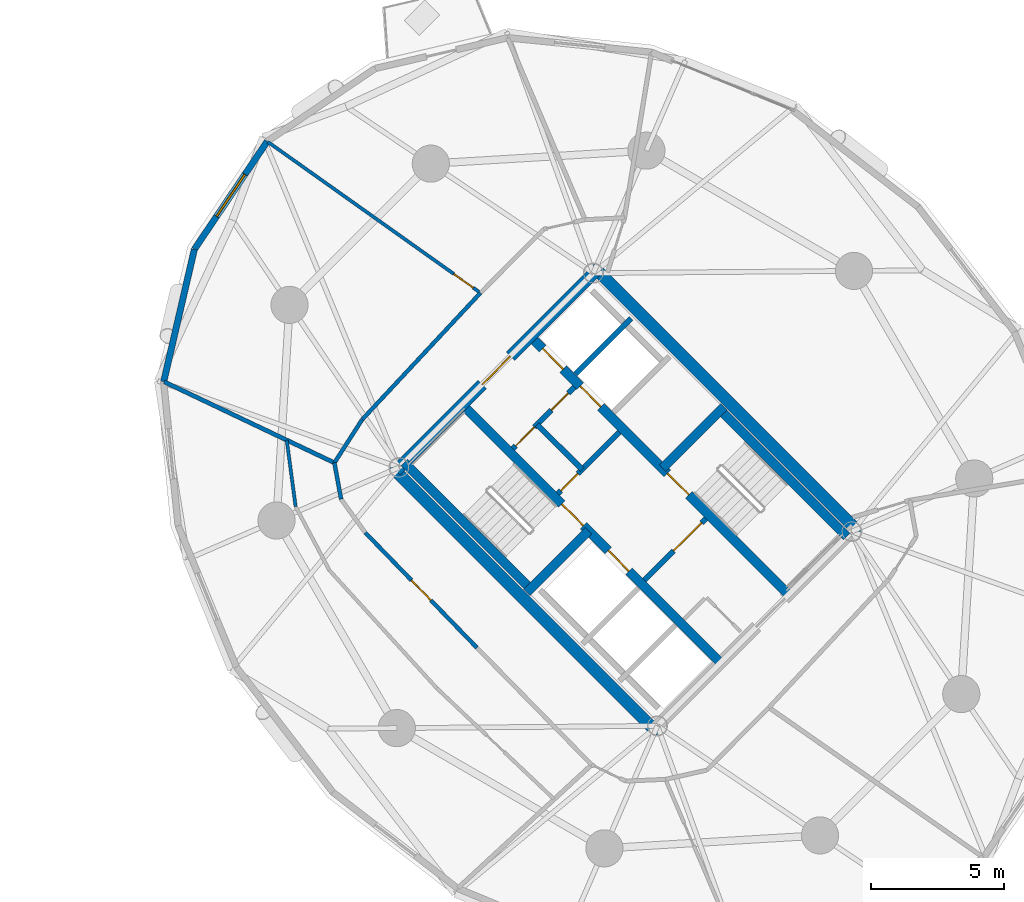
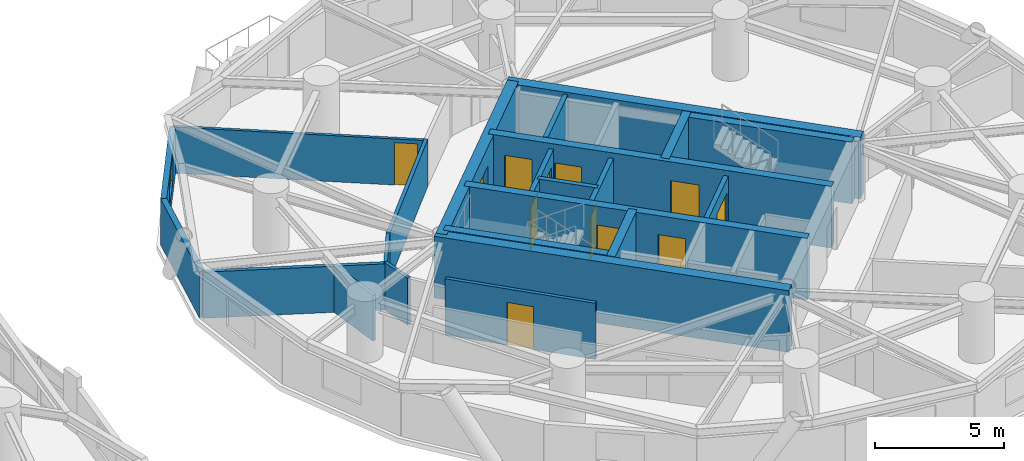
# One storey, part 12 of 17: 23 walls, 12 doors, 1 window, 13 openings.
"""IFC4 building model written with IfcOpenShell, lengths in metres."""

from ifc_helpers import new_model, si_unit, direction, frame, frame_2d, origin, place, context, subcontext, project, spatial, rectangle, extrude, source, transform, mapped, material, layer, layer_set, type_object, element, fill, save


model = new_model("IFC4")

# Units and contexts
model_context = context("Model", 3, precision=1e-05, world=origin(), true_north=direction((0.0, 1.0)))
body_context = subcontext(model_context, "Body", "Model", "MODEL_VIEW")
ifc_project = project(units=[si_unit("LENGTHUNIT", "METRE"), si_unit("AREAUNIT", "SQUARE_METRE"), si_unit("VOLUMEUNIT", "CUBIC_METRE"), si_unit("PLANEANGLEUNIT", "RADIAN"), si_unit("MASSUNIT", "GRAM", prefix="KILO")], contexts=[model_context])

# Site, building, storey
site_placement = place(None, origin())
site = spatial("IfcSite", under=ifc_project, at=site_placement, CompositionType="ELEMENT")
building_placement = place(site_placement, origin())
building = spatial("IfcBuilding", under=site, at=building_placement, Name="Cununo Teusaquillo Station Towers", CompositionType="ELEMENT")
storey_placement = place(building_placement, frame((0.0, 0.0, 113.800048828125)))
storey = spatial("IfcBuildingStorey", under=building, at=storey_placement, Name="L36", CompositionType="ELEMENT", Elevation=113.800048828125)

# Wall
ifc_material_1 = material(Name="Concrete C50/60", Category="concrete")
ifc_layer_1 = layer(ifc_material_1, 0.199951171875)
ifc_layer_set_1 = layer_set([ifc_layer_1], Name="Concrete C50/60")
wall_type_1 = type_object("IfcWallType", Name="WL-CORE-200", PredefinedType="SHEAR", material=ifc_layer_set_1)
wall_1_placement = place(storey_placement, frame((55.615478515625, 29.22705078125, 0.0), z_axis=(0.0, 0.0, 1.0), x_axis=(0.707147878904, 0.70706568108, 0.0)))
element("IfcWall", 1, at=wall_1_placement, inside=storey, type_object=wall_type_1, Name="L36 Tower B Low-Rise Lift Hoistway Divider Shear Wall", PredefinedType="SHEAR", context=body_context, shape_type="SweptSolid", body=[
    extrude(rectangle(XDim=2.97021484375, YDim=0.199951171875, at=frame_2d((1.485107421875, 0.0))), origin(), (0.0, 0.0, 1.0), 2.909912109375),
])

# Wall, openings, doors
ifc_material_2 = material(Name="Concrete C50/60", Category="concrete")
ifc_layer_2 = layer(ifc_material_2, 0.35009765625)
ifc_layer_set_2 = layer_set([ifc_layer_2], Name="Concrete C50/60")
wall_type_2 = type_object("IfcWallType", Name="WL-CORE-350", PredefinedType="SHEAR", material=ifc_layer_set_2)
wall_2_placement = place(storey_placement, frame((61.077880859375, 18.355224609375, 0.0), z_axis=(0.0, 0.0, 1.0), x_axis=(-0.707106781187, 0.707106781187, 0.0)))
wall_2 = element("IfcWall", 2, at=wall_2_placement, inside=storey, type_object=wall_type_2, Name="L36 Tower B Core Shear Wall IW", PredefinedType="SHEAR", context=body_context, shape_type="SweptSolid", body=[
    extrude(rectangle(XDim=13.75, YDim=0.35009765625, at=frame_2d((6.875, 0.0))), origin(), (0.0, 0.0, 1.0), 2.909912109375),
])
shared_shape_1 = source(origin(), body_context, "Body", "SweptSolid", [
    extrude(rectangle(XDim=1.10009765625, YDim=2.014892578125, at=frame_2d((0.550048828125, 1.00732421875))), frame((0.0, 0.18505859375, 0.0), z_axis=(0.0, -1.0, 0.0), x_axis=(1.0, 0.0, 0.0)), (0.0, 0.0, 1.0), 0.3701171875),
])
opening_1_placement = place(wall_2_placement, frame((4.875, 0.0, 0.0)))
opening_1 = element("IfcOpeningElement", 3, at=opening_1_placement, cuts=wall_2, Name="Opening LD-01", PredefinedType="OPENING", context=body_context, shape_type="MappedRepresentation", body=[
    mapped(shared_shape_1, transform((0.0, 0.0, 0.0), x_axis=(1.0, 0.0, 0.0), y_axis=(0.0, 1.0, 0.0), z_axis=(0.0, 0.0, 1.0), scale=1.0)),
])
shared_shape_2 = source(origin(), body_context, "Body", "SweptSolid", [
    extrude(rectangle(XDim=1.14990234375, YDim=2.02001953125, at=frame_2d((0.574951171875, 1.010009765625))), frame((0.0, 0.18505859375, 0.0), z_axis=(0.0, -1.0, 0.0), x_axis=(1.0, 0.0, 0.0)), (0.0, 0.0, 1.0), 0.3701171875),
])
opening_2_placement = place(wall_2_placement, frame((7.294921875, 0.0, 0.0)))
opening_2 = element("IfcOpeningElement", 4, at=opening_2_placement, cuts=wall_2, Name="Opening D-ST1", PredefinedType="OPENING", context=body_context, shape_type="MappedRepresentation", body=[
    mapped(shared_shape_2, transform((0.0, 0.0, 0.0), x_axis=(1.0, 0.0, 0.0), y_axis=(0.0, 1.0, 0.0), z_axis=(0.0, 0.0, 1.0), scale=1.0)),
])
ifc_material_3 = material(Name="Galvanised fire-rated hollow steel door assembly", Category="steel")
door_type_1 = type_object("IfcDoorType", Name="DR-LIFT-1100", OperationType="SLIDING_TO_LEFT", PredefinedType="DOOR", material=ifc_material_3)
shared_shape_3 = source(origin(), body_context, "Body", "SweptSolid", [
    extrude(rectangle(XDim=1.10009765625, YDim=2.014892578125, at=frame_2d((0.550048828125, 1.00732421875))), frame((0.0, 0.02490234375, 0.0), z_axis=(0.0, -1.0, 0.0), x_axis=(1.0, 0.0, 0.0)), (0.0, 0.0, 1.0), 0.050048828125),
])
door_1_placement = place(opening_1_placement, origin())
door_1 = element("IfcDoor", 5, at=door_1_placement, inside=storey, type_object=door_type_1, Name="L36 Lift FL-T2 Sliding Landing Door", OperationType="SLIDING_TO_RIGHT", OverallHeight=2.014892578125, OverallWidth=1.10009765625, PredefinedType="DOOR", context=body_context, shape_type="MappedRepresentation", body=[
    mapped(shared_shape_3, transform((0.0, 0.0, 0.0), x_axis=(1.0, 0.0, 0.0), y_axis=(0.0, 1.0, 0.0), z_axis=(0.0, 0.0, 1.0), scale=1.0)),
])
fill(opening_1, door_1)
ifc_material_4 = material(Name="Galvanised fire-rated hollow steel door assembly", Category="steel")
door_type_2 = type_object("IfcDoorType", Name="DR-STAIR-1150", OperationType="NOTDEFINED", PredefinedType="DOOR", material=ifc_material_4)
shared_shape_4 = source(origin(), body_context, "Body", "SweptSolid", [
    extrude(rectangle(XDim=1.14990234375, YDim=2.02001953125, at=frame_2d((0.574951171875, 1.010009765625))), frame((0.0, 0.02490234375, 0.0), z_axis=(0.0, -1.0, 0.0), x_axis=(1.0, 0.0, 0.0)), (0.0, 0.0, 1.0), 0.050048828125),
])
door_2_placement = place(opening_2_placement, origin())
door_2 = element("IfcDoor", 6, at=door_2_placement, inside=storey, type_object=door_type_2, Name="L36 Tower B Exit Stair 1 Fire Door", OperationType="SINGLE_SWING_LEFT", OverallHeight=2.02001953125, OverallWidth=1.14990234375, PredefinedType="DOOR", context=body_context, shape_type="MappedRepresentation", body=[
    mapped(shared_shape_4, transform((0.0, 0.0, 0.0), x_axis=(1.0, 0.0, 0.0), y_axis=(0.0, 1.0, 0.0), z_axis=(0.0, 0.0, 1.0), scale=1.0)),
])
fill(opening_2, door_2)

wall_3_placement = place(storey_placement, frame((63.644775390625, 20.922119140625, 0.0), z_axis=(0.0, 0.0, 1.0), x_axis=(-0.707106781187, 0.707106781187, 0.0)))
wall_3 = element("IfcWall", 7, at=wall_3_placement, inside=storey, type_object=wall_type_2, Name="L36 Tower B Core Shear Wall IE", PredefinedType="SHEAR", context=body_context, shape_type="SweptSolid", body=[
    extrude(rectangle(XDim=13.75, YDim=0.35009765625, at=frame_2d((6.875, 0.0))), origin(), (0.0, 0.0, 1.0), 2.909912109375),
])
opening_3_placement = place(wall_3_placement, frame((10.0, 0.0, 0.0)))
opening_3 = element("IfcOpeningElement", 8, at=opening_3_placement, cuts=wall_3, Name="Opening LD-01", PredefinedType="OPENING", context=body_context, shape_type="MappedRepresentation", body=[
    mapped(shared_shape_1, transform((0.0, 0.0, 0.0), x_axis=(1.0, 0.0, 0.0), y_axis=(0.0, 1.0, 0.0), z_axis=(0.0, 0.0, 1.0), scale=1.0)),
])
opening_4_placement = place(wall_3_placement, frame((12.0, 0.0, 0.0)))
opening_4 = element("IfcOpeningElement", 9, at=opening_4_placement, cuts=wall_3, Name="Opening LD-01", PredefinedType="OPENING", context=body_context, shape_type="MappedRepresentation", body=[
    mapped(shared_shape_1, transform((0.0, 0.0, 0.0), x_axis=(1.0, 0.0, 0.0), y_axis=(0.0, 1.0, 0.0), z_axis=(0.0, 0.0, 1.0), scale=1.0)),
])
opening_5_placement = place(wall_3_placement, frame((5.304931640625, 0.0, 0.0)))
opening_5 = element("IfcOpeningElement", 10, at=opening_5_placement, cuts=wall_3, Name="Opening D-ST1", PredefinedType="OPENING", context=body_context, shape_type="MappedRepresentation", body=[
    mapped(shared_shape_2, transform((0.0, 0.0, 0.0), x_axis=(1.0, 0.0, 0.0), y_axis=(0.0, 1.0, 0.0), z_axis=(0.0, 0.0, 1.0), scale=1.0)),
])
door_3_placement = place(opening_3_placement, origin())
door_3 = element("IfcDoor", 11, at=door_3_placement, inside=storey, type_object=door_type_1, Name="L36 Lift PL-T2-L1 Sliding Landing Door", OperationType="SLIDING_TO_RIGHT", OverallHeight=2.014892578125, OverallWidth=1.10009765625, PredefinedType="DOOR", context=body_context, shape_type="MappedRepresentation", body=[
    mapped(shared_shape_3, transform((0.0, 0.0, 0.0), x_axis=(1.0, 0.0, 0.0), y_axis=(0.0, 1.0, 0.0), z_axis=(0.0, 0.0, 1.0), scale=1.0)),
])
fill(opening_3, door_3)
door_4_placement = place(opening_4_placement, origin())
door_4 = element("IfcDoor", 12, at=door_4_placement, inside=storey, type_object=door_type_1, Name="L36 Lift PL-T2-L2 Sliding Landing Door", OperationType="SLIDING_TO_LEFT", OverallHeight=2.014892578125, OverallWidth=1.10009765625, PredefinedType="DOOR", context=body_context, shape_type="MappedRepresentation", body=[
    mapped(shared_shape_3, transform((0.0, 0.0, 0.0), x_axis=(1.0, 0.0, 0.0), y_axis=(0.0, 1.0, 0.0), z_axis=(0.0, 0.0, 1.0), scale=1.0)),
])
fill(opening_4, door_4)
door_5_placement = place(opening_5_placement, origin())
door_5 = element("IfcDoor", 13, at=door_5_placement, inside=storey, type_object=door_type_2, Name="L36 Tower B Exit Stair 2 Fire Door", OperationType="SINGLE_SWING_RIGHT", OverallHeight=2.02001953125, OverallWidth=1.14990234375, PredefinedType="DOOR", context=body_context, shape_type="MappedRepresentation", body=[
    mapped(shared_shape_4, transform((0.0, 0.0, 0.0), x_axis=(1.0, 0.0, 0.0), y_axis=(0.0, 1.0, 0.0), z_axis=(0.0, 0.0, 1.0), scale=1.0)),
])
fill(opening_5, door_5)

# Walls
wall_4_placement = place(storey_placement, frame((53.922119140625, 21.14111328125, 0.0), z_axis=(0.0, 0.0, 1.0), x_axis=(-0.707088616009, 0.707124945897, 0.0)))
element("IfcWall", 14, at=wall_4_placement, inside=storey, type_object=wall_type_2, Name="L36 Tower B Core Shear Wall ST1W", PredefinedType="SHEAR", context=body_context, shape_type="SweptSolid", body=[
    extrude(rectangle(XDim=6.72021484375, YDim=0.35009765625, at=frame_2d((3.360107421875, 0.0))), origin(), (0.0, 0.0, 1.0), 2.909912109375),
])
wall_5_placement = place(storey_placement, frame((53.7841796875, 21.00341796875, 0.0), z_axis=(0.0, 0.0, 1.0), x_axis=(0.707106781187, 0.707106781187, 0.0)))
element("IfcWall", 15, at=wall_5_placement, inside=storey, type_object=wall_type_2, Name="L36 Tower B Core Shear Wall ST1S", PredefinedType="SHEAR", context=body_context, shape_type="SweptSolid", body=[
    extrude(rectangle(XDim=3.284912109375, YDim=0.35009765625, at=frame_2d((1.642578125, 0.0))), origin(), (0.0, 0.0, 1.0), 2.909912109375),
])
wall_6_placement = place(storey_placement, frame((65.82958984375, 23.10693359375, 0.0), z_axis=(0.0, 0.0, 1.0), x_axis=(-0.707088616009, 0.707124945897, 0.0)))
element("IfcWall", 16, at=wall_6_placement, inside=storey, type_object=wall_type_2, Name="L36 Tower B Core Shear Wall ST2E", PredefinedType="SHEAR", context=body_context, shape_type="SweptSolid", body=[
    extrude(rectangle(XDim=6.72021484375, YDim=0.35009765625, at=frame_2d((3.360107421875, 0.0))), origin(), (0.0, 0.0, 1.0), 2.909912109375),
])
wall_7_placement = place(storey_placement, frame((58.89306640625, 25.673828125, 0.0), z_axis=(0.0, 0.0, 1.0), x_axis=(0.707106781187, 0.707106781187, 0.0)))
element("IfcWall", 17, at=wall_7_placement, inside=storey, type_object=wall_type_2, Name="L36 Tower B Core Shear Wall ST2N", PredefinedType="SHEAR", context=body_context, shape_type="SweptSolid", body=[
    extrude(rectangle(XDim=3.284912109375, YDim=0.35009765625, at=frame_2d((1.642578125, 0.0))), origin(), (0.0, 0.0, 1.0), 2.909912109375),
])
ifc_material_5 = material(Name="Concrete C60/75", Category="concrete")
ifc_layer_3 = layer(ifc_material_5, 0.449951171875)
ifc_layer_set_3 = layer_set([ifc_layer_3], Name="Concrete C60/75")
wall_type_3 = type_object("IfcWallType", Name="WL-CORE-450", PredefinedType="SHEAR", material=ifc_layer_set_3)
for number, where, z_axis, x_axis, name in (
    (18, (58.7373046875, 15.696533203125, 0.0), (0.0, 0.0, 1.0), (-0.707106781187, 0.707106781187, 0.0), "L36 Tower B Core Shear Wall W"),
    (19, (66.303466796875, 23.2626953125, 0.0), (0.0, 0.0, 1.0), (-0.707106781187, 0.707106781187, 0.0), "L36 Tower B Core Shear Wall E"),
):
    element("IfcWall", number, at=place(storey_placement, frame(where, z_axis=z_axis, x_axis=x_axis)), inside=storey, type_object=wall_type_3, Name=name, PredefinedType="SHEAR", context=body_context, shape_type="SweptSolid", body=[
        extrude(rectangle(XDim=14.19970703125, YDim=0.449951171875, at=frame_2d((7.099853515625, 0.0))), origin(), (0.0, 0.0, 1.0), 2.909912109375),
    ])

# Wall, opening, door
wall_8_placement = place(storey_placement, frame((48.855712890625, 25.578369140625, 0.0), z_axis=(0.0, 0.0, 1.0), x_axis=(0.707106781187, 0.707106781187, 0.0)))
wall_8 = element("IfcWall", 20, at=wall_8_placement, inside=storey, type_object=wall_type_3, Name="L36 Tower B Core Shear Wall N", PredefinedType="SHEAR", context=body_context, shape_type="SweptSolid", body=[
    extrude(rectangle(XDim=10.69970703125, YDim=0.449951171875, at=frame_2d((5.349853515625, 0.0))), origin(), (0.0, 0.0, 1.0), 2.909912109375),
])
shared_shape_5 = source(origin(), body_context, "Body", "SweptSolid", [
    extrude(rectangle(XDim=1.5, YDim=2.02001953125, at=frame_2d((0.75, 1.010009765625))), frame((0.0, 0.23486328125, 0.0), z_axis=(0.0, -1.0, 0.0), x_axis=(1.0, 0.0, 0.0)), (0.0, 0.0, 1.0), 0.469970703125),
])
opening_6_placement = place(wall_8_placement, frame((4.60009765625, 0.0, 0.0)))
opening_6 = element("IfcOpeningElement", 21, at=opening_6_placement, cuts=wall_8, Name="Opening D-LB1", PredefinedType="OPENING", context=body_context, shape_type="MappedRepresentation", body=[
    mapped(shared_shape_5, transform((0.0, 0.0, 0.0), x_axis=(1.0, 0.0, 0.0), y_axis=(0.0, 1.0, 0.0), z_axis=(0.0, 0.0, 1.0), scale=1.0)),
])
ifc_material_6 = material(Name="Galvanised fire-rated hollow steel door assembly", Category="steel")
door_type_3 = type_object("IfcDoorType", Name="DR-LOBBY-1500", OperationType="DOUBLE_DOOR_SINGLE_SWING", PredefinedType="DOOR", material=ifc_material_6)
shared_shape_6 = source(origin(), body_context, "Body", "SweptSolid", [
    extrude(rectangle(XDim=1.5, YDim=2.02001953125, at=frame_2d((0.75, 1.010009765625))), frame((0.0, 0.02490234375, 0.0), z_axis=(0.0, -1.0, 0.0), x_axis=(1.0, 0.0, 0.0)), (0.0, 0.0, 1.0), 0.050048828125),
])
door_6_placement = place(opening_6_placement, origin())
door_6 = element("IfcDoor", 22, at=door_6_placement, inside=storey, type_object=door_type_3, Name="L36 Tower B North Core Lift Lobby Door", OperationType="DOUBLE_DOOR_SINGLE_SWING", OverallHeight=2.02001953125, OverallWidth=1.5, PredefinedType="DOOR", context=body_context, shape_type="MappedRepresentation", body=[
    mapped(shared_shape_6, transform((0.0, 0.0, 0.0), x_axis=(1.0, 0.0, 0.0), y_axis=(0.0, 1.0, 0.0), z_axis=(0.0, 0.0, 1.0), scale=1.0)),
])
fill(opening_6, door_6)

# Wall, opening, window
ifc_material_7 = material(Name="Precast concrete C40/50", Category="concrete")
ifc_layer_4 = layer(ifc_material_7, 0.239990234375)
ifc_layer_set_4 = layer_set([ifc_layer_4], Name="Precast concrete C40/50")
wall_type_4 = type_object("IfcWallType", Name="WL-EXT-240", PredefinedType="SOLIDWALL", material=ifc_layer_set_4)
wall_9_placement = place(storey_placement, frame((41.27099609375, 33.919921875, 0.0), z_axis=(0.0, 0.0, 1.0), x_axis=(0.559572880421, 0.828781148131, 0.0)))
wall_9 = element("IfcWall", 23, at=wall_9_placement, inside=storey, type_object=wall_type_4, Name="L36 Tower B Exterior Facade Wall C05", PredefinedType="SOLIDWALL", context=body_context, shape_type="SweptSolid", body=[
    extrude(rectangle(XDim=4.904541015625, YDim=0.239990234375, at=frame_2d((2.4521484375, 0.0))), origin(), (0.0, 0.0, 1.0), 2.178955078125),
])
shared_shape_7 = source(origin(), body_context, "Body", "SweptSolid", [
    extrude(rectangle(XDim=1.89990234375, YDim=1.35009765625, at=frame_2d((0.949951171875, 0.675048828125))), frame((0.0, 0.1298828125, 0.0), z_axis=(0.0, -1.0, 0.0), x_axis=(1.0, 0.0, 0.0)), (0.0, 0.0, 1.0), 0.260009765625),
])
opening_7_placement = place(wall_9_placement, frame((1.501953125, 0.0, 0.64990234375)))
opening_7 = element("IfcOpeningElement", 24, at=opening_7_placement, cuts=wall_9, Name="Opening WN-02", PredefinedType="OPENING", context=body_context, shape_type="MappedRepresentation", body=[
    mapped(shared_shape_7, transform((0.0, 0.0, 0.0), x_axis=(1.0, 0.0, 0.0), y_axis=(0.0, 1.0, 0.0), z_axis=(0.0, 0.0, 1.0), scale=1.0)),
])
ifc_material_8 = material(Name="Operable acoustic tinted low-E double glazing", Category="glass")
window_type = type_object("IfcWindowType", Name="WIN-OPER-1900", PartitioningType="DOUBLE_PANEL_VERTICAL", PredefinedType="WINDOW", material=ifc_material_8)
shared_shape_8 = source(origin(), body_context, "Body", "SweptSolid", [
    extrude(rectangle(XDim=1.89990234375, YDim=1.35009765625, at=frame_2d((0.949951171875, 0.675048828125))), frame((0.0, 0.030029296875, 0.0), z_axis=(0.0, -1.0, 0.0), x_axis=(1.0, 0.0, 0.0)), (0.0, 0.0, 1.0), 0.06005859375),
])
window_placement = place(opening_7_placement, origin())
window = element("IfcWindow", 25, at=window_placement, inside=storey, type_object=window_type, Name="L36 Tower B Facade Window C05", OverallHeight=1.35009765625, OverallWidth=1.89990234375, PartitioningType="DOUBLE_PANEL_VERTICAL", PredefinedType="WINDOW", context=body_context, shape_type="MappedRepresentation", body=[
    mapped(shared_shape_8, transform((0.0, 0.0, 0.0), x_axis=(1.0, 0.0, 0.0), y_axis=(0.0, 1.0, 0.0), z_axis=(0.0, 0.0, 1.0), scale=1.0)),
])
fill(opening_7, window)

# Wall
wall_10_placement = place(storey_placement, frame((40.114990234375, 28.933349609375, 0.0), z_axis=(0.0, 0.0, 1.0), x_axis=(0.225834725257, 0.974165631126, 0.0)))
element("IfcWall", 26, at=wall_10_placement, inside=storey, type_object=wall_type_4, Name="L36 Tower B Exterior Facade Wall C06", PredefinedType="SOLIDWALL", context=body_context, shape_type="SweptSolid", body=[
    extrude(rectangle(XDim=5.118896484375, YDim=0.239990234375, at=frame_2d((2.5595703125, 0.0))), origin(), (0.0, 0.0, 1.0), 2.178955078125),
])

# Wall, opening, door
ifc_material_9 = material(Name="Fire-rated gypsum plasterboard partition assembly", Category="gypsum")
ifc_layer_5 = layer(ifc_material_9, 0.125)
ifc_layer_set_5 = layer_set([ifc_layer_5], Name="Fire-rated gypsum plasterboard partition assembly")
wall_type_5 = type_object("IfcWallType", Name="WL-PART-125", PredefinedType="PARTITIONING", material=ifc_layer_set_5)
wall_11_placement = place(storey_placement, frame((52.04345703125, 32.27978515625, 0.0), z_axis=(0.0, 0.0, 1.0), x_axis=(-0.81534487613, 0.578975589268, 0.0)))
wall_11 = element("IfcWall", 27, at=wall_11_placement, inside=storey, type_object=wall_type_5, Name="L36 Tower B Executive C-Suite Corner Office Suite Subdividing Wall", PredefinedType="PARTITIONING", context=body_context, shape_type="SweptSolid", body=[
    extrude(rectangle(XDim=9.828857421875, YDim=0.125, at=frame_2d((4.91455078125, 0.0))), origin(), (0.0, 0.0, 1.0), 2.178955078125),
])
shared_shape_9 = source(origin(), body_context, "Body", "SweptSolid", [
    extrude(rectangle(XDim=0.89990234375, YDim=2.0048828125, at=frame_2d((0.449951171875, 1.00244140625))), frame((0.0, 0.072509765625, 0.0), z_axis=(0.0, -1.0, 0.0), x_axis=(1.0, 0.0, 0.0)), (0.0, 0.0, 1.0), 0.14501953125),
])
opening_8_placement = place(wall_11_placement, frame((0.330078125, 0.0, 0.0)))
opening_8 = element("IfcOpeningElement", 28, at=opening_8_placement, cuts=wall_11, Name="Opening D-IN1", PredefinedType="OPENING", context=body_context, shape_type="MappedRepresentation", body=[
    mapped(shared_shape_9, transform((0.0, 0.0, 0.0), x_axis=(1.0, 0.0, 0.0), y_axis=(0.0, 1.0, 0.0), z_axis=(0.0, 0.0, 1.0), scale=1.0)),
])
ifc_material_10 = material(Name="Acoustic solid-core hardwood leaf assembly", Category="wood")
door_type_4 = type_object("IfcDoorType", Name="DR-INT-900", OperationType="NOTDEFINED", PredefinedType="DOOR", material=ifc_material_10)
shared_shape_10 = source(origin(), body_context, "Body", "SweptSolid", [
    extrude(rectangle(XDim=0.89990234375, YDim=2.0048828125, at=frame_2d((0.449951171875, 1.00244140625))), frame((0.0, 0.02490234375, 0.0), z_axis=(0.0, -1.0, 0.0), x_axis=(1.0, 0.0, 0.0)), (0.0, 0.0, 1.0), 0.050048828125),
])
door_7_placement = place(opening_8_placement, origin())
door_7 = element("IfcDoor", 29, at=door_7_placement, inside=storey, type_object=door_type_4, Name="L36 Tower B Executive C-Suite Corner Office Suite Connecting Door", OperationType="SINGLE_SWING_RIGHT", OverallHeight=2.0048828125, OverallWidth=0.89990234375, PredefinedType="DOOR", context=body_context, shape_type="MappedRepresentation", body=[
    mapped(shared_shape_10, transform((0.0, 0.0, 0.0), x_axis=(1.0, 0.0, 0.0), y_axis=(0.0, 1.0, 0.0), z_axis=(0.0, 0.0, 1.0), scale=1.0)),
])
fill(opening_8, door_7)

# Walls
wall_12_placement = place(storey_placement, frame((44.748779296875, 26.735595703125, 0.0), z_axis=(0.0, 0.0, 1.0), x_axis=(0.132518524874, -0.991180528746, 0.0)))
element("IfcWall", 30, at=wall_12_placement, inside=storey, type_object=wall_type_5, Name="L36 Tower B Corporate Strategy Boardroom Concentric Partition Wall C07", PredefinedType="PARTITIONING", context=body_context, shape_type="SweptSolid", body=[
    extrude(rectangle(XDim=2.52392578125, YDim=0.125, at=frame_2d((1.261962890625, 0.0))), origin(), (0.0, 0.0, 1.0), 2.178955078125),
])
ifc_material_11 = material(Name="Fire-rated gypsum plasterboard partition assembly", Category="gypsum")
ifc_layer_6 = layer(ifc_material_11, 0.14990234375)
ifc_layer_set_6 = layer_set([ifc_layer_6], Name="Fire-rated gypsum plasterboard partition assembly")
wall_type_6 = type_object("IfcWallType", Name="WL-PART-150", PredefinedType="PARTITIONING", material=ifc_layer_set_6)
wall_13_placement = place(storey_placement, frame((52.04345703125, 32.27978515625, 0.0), z_axis=(0.0, 0.0, 1.0), x_axis=(-0.682606081633, -0.730786519661, 0.0)))
element("IfcWall", 31, at=wall_13_placement, inside=storey, type_object=wall_type_6, Name="L36 Tower B Corridor Ring Wall C05", PredefinedType="PARTITIONING", context=body_context, shape_type="SweptSolid", body=[
    extrude(rectangle(XDim=6.526611328125, YDim=0.14990234375, at=frame_2d((3.26318359375, 0.0))), origin(), (0.0, 0.0, 1.0), 2.224853515625),
])
wall_14_placement = place(storey_placement, frame((47.58837890625, 27.51025390625, 0.0), z_axis=(0.0, 0.0, 1.0), x_axis=(-0.540202619347, -0.841534984449, 0.0)))
element("IfcWall", 32, at=wall_14_placement, inside=storey, type_object=wall_type_6, Name="L36 Tower B Corridor Ring Wall C06", PredefinedType="PARTITIONING", context=body_context, shape_type="SweptSolid", body=[
    extrude(rectangle(XDim=1.934814453125, YDim=0.14990234375, at=frame_2d((0.96728515625, 0.0))), origin(), (0.0, 0.0, 1.0), 2.224853515625),
])
wall_15_placement = place(storey_placement, frame((46.543212890625, 25.882080078125, 0.0), z_axis=(0.0, 0.0, 1.0), x_axis=(0.181153502579, -0.983454832976, 0.0)))
element("IfcWall", 33, at=wall_15_placement, inside=storey, type_object=wall_type_6, Name="L36 Tower B Corridor Ring Wall C07", PredefinedType="PARTITIONING", context=body_context, shape_type="SweptSolid", body=[
    extrude(rectangle(XDim=1.39208984375, YDim=0.14990234375, at=frame_2d((0.696044921875, 0.0))), origin(), (0.0, 0.0, 1.0), 2.224853515625),
])

# Wall, opening, door
wall_16_placement = place(storey_placement, frame((47.70556640625, 23.253173828125, 0.0), z_axis=(0.0, 0.0, 1.0), x_axis=(0.696179266346, -0.717867974707, 0.0)))
wall_16 = element("IfcWall", 34, at=wall_16_placement, inside=storey, type_object=wall_type_6, Name="L36 Tower B Corridor Ring Wall C09", PredefinedType="PARTITIONING", context=body_context, shape_type="SweptSolid", body=[
    extrude(rectangle(XDim=6.044677734375, YDim=0.14990234375, at=frame_2d((3.0224609375, 0.0))), origin(), (0.0, 0.0, 1.0), 2.655029296875),
])
shared_shape_11 = source(origin(), body_context, "Body", "SweptSolid", [
    extrude(rectangle(XDim=1.050048828125, YDim=2.014892578125, at=frame_2d((0.52490234375, 1.00732421875))), frame((0.0, 0.0849609375, 0.0), z_axis=(0.0, -1.0, 0.0), x_axis=(1.0, 0.0, 0.0)), (0.0, 0.0, 1.0), 0.169921875),
])
opening_9_placement = place(wall_16_placement, frame((2.497314453125, 0.0, 0.0)))
opening_9 = element("IfcOpeningElement", 35, at=opening_9_placement, cuts=wall_16, Name="Opening D-SU1", PredefinedType="OPENING", context=body_context, shape_type="MappedRepresentation", body=[
    mapped(shared_shape_11, transform((0.0, 0.0, 0.0), x_axis=(1.0, 0.0, 0.0), y_axis=(0.0, 1.0, 0.0), z_axis=(0.0, 0.0, 1.0), scale=1.0)),
])
ifc_material_12 = material(Name="Acoustic solid-core hardwood leaf assembly", Category="wood")
door_type_5 = type_object("IfcDoorType", Name="DR-SUITE-1050", OperationType="NOTDEFINED", PredefinedType="DOOR", material=ifc_material_12)
shared_shape_12 = source(origin(), body_context, "Body", "SweptSolid", [
    extrude(rectangle(XDim=1.050048828125, YDim=2.014892578125, at=frame_2d((0.52490234375, 1.00732421875))), frame((0.0, 0.02490234375, 0.0), z_axis=(0.0, -1.0, 0.0), x_axis=(1.0, 0.0, 0.0)), (0.0, 0.0, 1.0), 0.050048828125),
])
door_8_placement = place(opening_9_placement, origin())
door_8 = element("IfcDoor", 36, at=door_8_placement, inside=storey, type_object=door_type_5, Name="L36 Tower B Corporate Strategy Boardroom Entrance Door", OperationType="SINGLE_SWING_LEFT", OverallHeight=2.014892578125, OverallWidth=1.050048828125, PredefinedType="DOOR", context=body_context, shape_type="MappedRepresentation", body=[
    mapped(shared_shape_12, transform((0.0, 0.0, 0.0), x_axis=(1.0, 0.0, 0.0), y_axis=(0.0, 1.0, 0.0), z_axis=(0.0, 0.0, 1.0), scale=1.0)),
])
fill(opening_9, door_8)

# Wall
ifc_material_13 = material(Name="Fire-rated gypsum plasterboard partition assembly", Category="gypsum")
ifc_layer_7 = layer(ifc_material_13, 0.159912109375)
ifc_layer_set_7 = layer_set([ifc_layer_7], Name="Fire-rated gypsum plasterboard partition assembly")
wall_type_7 = type_object("IfcWallType", Name="WL-PART-160", PredefinedType="PARTITIONING", material=ifc_layer_set_7)
wall_17_placement = place(storey_placement, frame((46.543212890625, 25.882080078125, 0.0), z_axis=(0.0, 0.0, 1.0), x_axis=(-0.903054383171, 0.429526228576, 0.0)))
element("IfcWall", 37, at=wall_17_placement, inside=storey, type_object=wall_type_7, Name="L36 Tower B Radial Suite Partition R03", PredefinedType="PARTITIONING", context=body_context, shape_type="SweptSolid", body=[
    extrude(rectangle(XDim=7.096435546875, YDim=0.159912109375, at=frame_2d((3.54833984375, 0.0))), origin(), (0.0, 0.0, 1.0), 2.178955078125),
])

# Wall, opening, door
ifc_material_14 = material(Name="Fire-rated gypsum plasterboard partition assembly", Category="gypsum")
ifc_layer_8 = layer(ifc_material_14, 0.199951171875)
ifc_layer_set_8 = layer_set([ifc_layer_8], Name="Fire-rated gypsum plasterboard partition assembly")
wall_type_8 = type_object("IfcWallType", Name="WL-PART-200", PredefinedType="PARTITIONING", material=ifc_layer_set_8)
wall_18_placement = place(storey_placement, frame((58.214111328125, 21.466552734375, 0.0), z_axis=(0.0, 0.0, 1.0), x_axis=(0.707106781187, 0.707106781187, 0.0)))
wall_18 = element("IfcWall", 38, at=wall_18_placement, inside=storey, type_object=wall_type_8, Name="L36 Tower B Firefighting Lift Lobby South Fire Wall", PredefinedType="PARTITIONING", context=body_context, shape_type="SweptSolid", body=[
    extrude(rectangle(XDim=3.280029296875, YDim=0.199951171875, at=frame_2d((1.64013671875, 0.0))), origin(), (0.0, 0.0, 1.0), 2.655029296875),
])
shared_shape_13 = source(origin(), body_context, "Body", "SweptSolid", [
    extrude(rectangle(XDim=1.5, YDim=2.02001953125, at=frame_2d((0.75, 1.010009765625))), frame((0.0, 0.10986328125, 0.0), z_axis=(0.0, -1.0, 0.0), x_axis=(1.0, 0.0, 0.0)), (0.0, 0.0, 1.0), 0.219970703125),
])
opening_10_placement = place(wall_18_placement, frame((1.550048828125, 0.0, 0.0)))
opening_10 = element("IfcOpeningElement", 39, at=opening_10_placement, cuts=wall_18, Name="Opening D-LB1", PredefinedType="OPENING", context=body_context, shape_type="MappedRepresentation", body=[
    mapped(shared_shape_13, transform((0.0, 0.0, 0.0), x_axis=(1.0, 0.0, 0.0), y_axis=(0.0, 1.0, 0.0), z_axis=(0.0, 0.0, 1.0), scale=1.0)),
])
door_9_placement = place(opening_10_placement, origin())
door_9 = element("IfcDoor", 40, at=door_9_placement, inside=storey, type_object=door_type_3, Name="L36 Tower B Firefighting Lift Lobby South Fire Door", OperationType="DOUBLE_DOOR_SINGLE_SWING", OverallHeight=2.02001953125, OverallWidth=1.5, PredefinedType="DOOR", context=body_context, shape_type="MappedRepresentation", body=[
    mapped(shared_shape_6, transform((0.0, 0.0, 0.0), x_axis=(1.0, 0.0, 0.0), y_axis=(0.0, 1.0, 0.0), z_axis=(0.0, 0.0, 1.0), scale=1.0)),
])
fill(opening_10, door_9)

wall_19_placement = place(storey_placement, frame((54.96142578125, 24.71923828125, 0.0), z_axis=(0.0, 0.0, 1.0), x_axis=(0.707106781187, 0.707106781187, 0.0)))
wall_19 = element("IfcWall", 41, at=wall_19_placement, inside=storey, type_object=wall_type_8, Name="L36 Tower B Firefighting Lift Lobby North Fire Wall", PredefinedType="PARTITIONING", context=body_context, shape_type="SweptSolid", body=[
    extrude(rectangle(XDim=3.280029296875, YDim=0.199951171875, at=frame_2d((1.64013671875, 0.0))), origin(), (0.0, 0.0, 1.0), 2.655029296875),
])
shared_shape_14 = source(origin(), body_context, "Body", "SweptSolid", [
    extrude(rectangle(XDim=0.89990234375, YDim=2.0048828125, at=frame_2d((0.449951171875, 1.00244140625))), frame((0.0, 0.10986328125, 0.0), z_axis=(0.0, -1.0, 0.0), x_axis=(1.0, 0.0, 0.0)), (0.0, 0.0, 1.0), 0.219970703125),
])
opening_11_placement = place(wall_19_placement, frame((0.159912109375, 0.0, 0.0)))
opening_11 = element("IfcOpeningElement", 42, at=opening_11_placement, cuts=wall_19, Name="Opening D-SR1", PredefinedType="OPENING", context=body_context, shape_type="MappedRepresentation", body=[
    mapped(shared_shape_14, transform((0.0, 0.0, 0.0), x_axis=(1.0, 0.0, 0.0), y_axis=(0.0, 1.0, 0.0), z_axis=(0.0, 0.0, 1.0), scale=1.0)),
])
ifc_material_15 = material(Name="Galvanised fire-rated hollow steel door assembly", Category="steel")
door_type_6 = type_object("IfcDoorType", Name="DR-STORE-900", OperationType="NOTDEFINED", PredefinedType="DOOR", material=ifc_material_15)
door_10_placement = place(opening_11_placement, origin())
door_10 = element("IfcDoor", 43, at=door_10_placement, inside=storey, type_object=door_type_6, Name="L36 Tower B Stair 1 Protected Vestibule South Door", OperationType="SINGLE_SWING_LEFT", OverallHeight=2.0048828125, OverallWidth=0.89990234375, PredefinedType="DOOR", context=body_context, shape_type="MappedRepresentation", body=[
    mapped(shared_shape_10, transform((0.0, 0.0, 0.0), x_axis=(1.0, 0.0, 0.0), y_axis=(0.0, 1.0, 0.0), z_axis=(0.0, 0.0, 1.0), scale=1.0)),
])
fill(opening_11, door_10)

# Wall
wall_20_placement = place(storey_placement, frame((55.873779296875, 25.63134765625, 0.0), z_axis=(0.0, 0.0, 1.0), x_axis=(-0.707157639372, 0.707055919343, 0.0)))
element("IfcWall", 44, at=wall_20_placement, inside=storey, type_object=wall_type_8, Name="L36 Tower B Stair 1 Vestibule Partition Wall", PredefinedType="PARTITIONING", context=body_context, shape_type="SweptSolid", body=[
    extrude(rectangle(XDim=2.400146484375, YDim=0.199951171875, at=frame_2d((1.2001953125, 0.0))), origin(), (0.0, 0.0, 1.0), 2.655029296875),
])

# Wall, openings, doors
wall_21_placement = place(storey_placement, frame((53.264404296875, 26.416259765625, 0.0), z_axis=(0.0, 0.0, 1.0), x_axis=(0.707106781187, 0.707106781187, 0.0)))
wall_21 = element("IfcWall", 45, at=wall_21_placement, inside=storey, type_object=wall_type_8, Name="L36 Tower B North Lift Lobby South Fire Wall", PredefinedType="PARTITIONING", context=body_context, shape_type="SweptSolid", body=[
    extrude(rectangle(XDim=3.280029296875, YDim=0.199951171875, at=frame_2d((1.64013671875, 0.0))), origin(), (0.0, 0.0, 1.0), 2.655029296875),
])
shared_shape_15 = source(origin(), body_context, "Body", "SweptSolid", [
    extrude(rectangle(XDim=1.0, YDim=2.014892578125, at=frame_2d((0.5, 1.00732421875))), frame((0.0, 0.10986328125, 0.0), z_axis=(0.0, -1.0, 0.0), x_axis=(1.0, 0.0, 0.0)), (0.0, 0.0, 1.0), 0.219970703125),
])
opening_12_placement = place(wall_21_placement, frame((0.139892578125, 0.0, 0.0)))
opening_12 = element("IfcOpeningElement", 46, at=opening_12_placement, cuts=wall_21, Name="Opening D-AC1", PredefinedType="OPENING", context=body_context, shape_type="MappedRepresentation", body=[
    mapped(shared_shape_15, transform((0.0, 0.0, 0.0), x_axis=(1.0, 0.0, 0.0), y_axis=(0.0, 1.0, 0.0), z_axis=(0.0, 0.0, 1.0), scale=1.0)),
])
opening_13_placement = place(wall_21_placement, frame((2.050048828125, 0.0, 0.0)))
opening_13 = element("IfcOpeningElement", 47, at=opening_13_placement, cuts=wall_21, Name="Opening D-SR1", PredefinedType="OPENING", context=body_context, shape_type="MappedRepresentation", body=[
    mapped(shared_shape_14, transform((0.0, 0.0, 0.0), x_axis=(1.0, 0.0, 0.0), y_axis=(0.0, 1.0, 0.0), z_axis=(0.0, 0.0, 1.0), scale=1.0)),
])
door_11_placement = place(opening_13_placement, origin())
door_11 = element("IfcDoor", 48, at=door_11_placement, inside=storey, type_object=door_type_6, Name="L36 Tower B Core Housekeeping & Linen Store Door", OperationType="SINGLE_SWING_RIGHT", OverallHeight=2.0048828125, OverallWidth=0.89990234375, PredefinedType="DOOR", context=body_context, shape_type="MappedRepresentation", body=[
    mapped(shared_shape_10, transform((0.0, 0.0, 0.0), x_axis=(1.0, 0.0, 0.0), y_axis=(0.0, 1.0, 0.0), z_axis=(0.0, 0.0, 1.0), scale=1.0)),
])
fill(opening_13, door_11)
ifc_material_16 = material(Name="Acoustic solid-core hardwood leaf assembly", Category="wood")
door_type_7 = type_object("IfcDoorType", Name="DR-ACC-1000", OperationType="NOTDEFINED", PredefinedType="DOOR", material=ifc_material_16)
shared_shape_16 = source(origin(), body_context, "Body", "SweptSolid", [
    extrude(rectangle(XDim=1.0, YDim=2.014892578125, at=frame_2d((0.5, 1.00732421875))), frame((0.0, 0.02490234375, 0.0), z_axis=(0.0, -1.0, 0.0), x_axis=(1.0, 0.0, 0.0)), (0.0, 0.0, 1.0), 0.050048828125),
])
door_12_placement = place(opening_12_placement, origin())
door_12 = element("IfcDoor", 49, at=door_12_placement, inside=storey, type_object=door_type_7, Name="L36 Tower B North Lift Lobby to Stair 1 Vestibule Door", OperationType="SINGLE_SWING_RIGHT", OverallHeight=2.014892578125, OverallWidth=1.0, PredefinedType="DOOR", context=body_context, shape_type="MappedRepresentation", body=[
    mapped(shared_shape_16, transform((0.0, 0.0, 0.0), x_axis=(1.0, 0.0, 0.0), y_axis=(0.0, 1.0, 0.0), z_axis=(0.0, 0.0, 1.0), scale=1.0)),
])
fill(opening_12, door_12)

save(model, "model.ifc")
